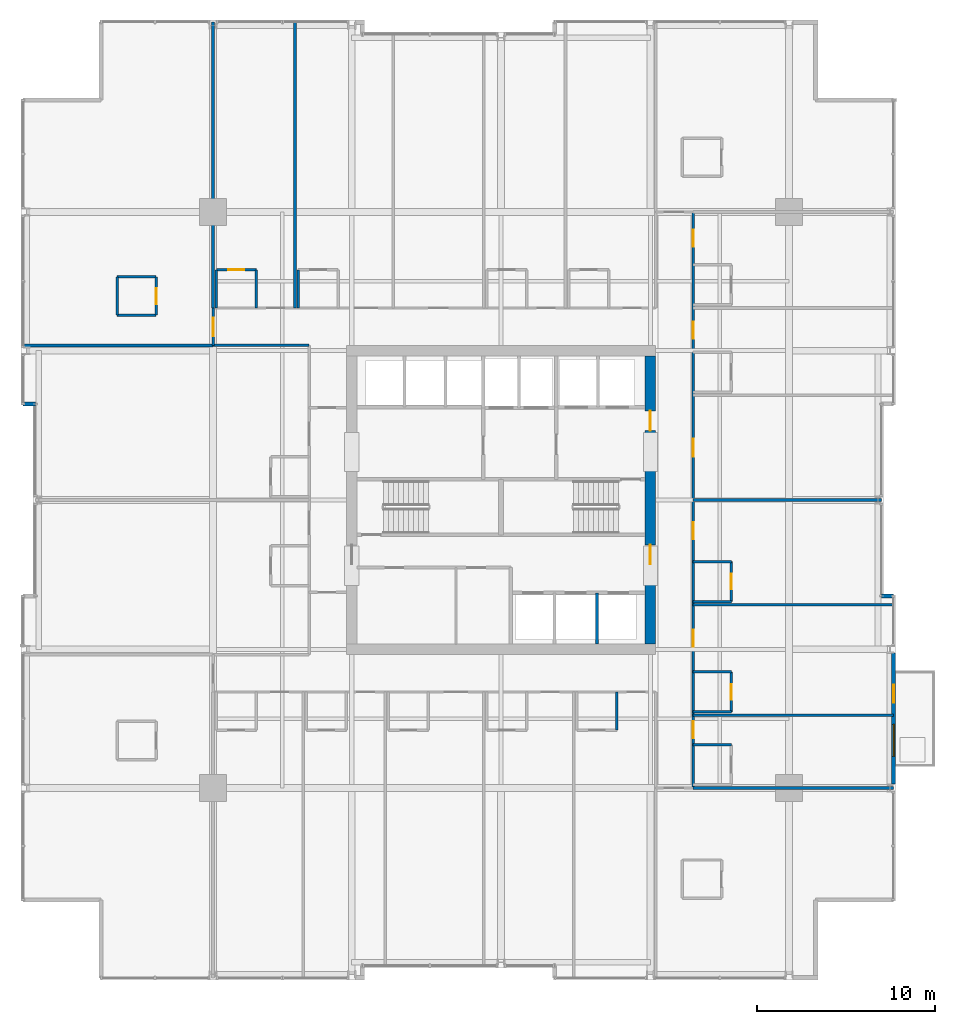
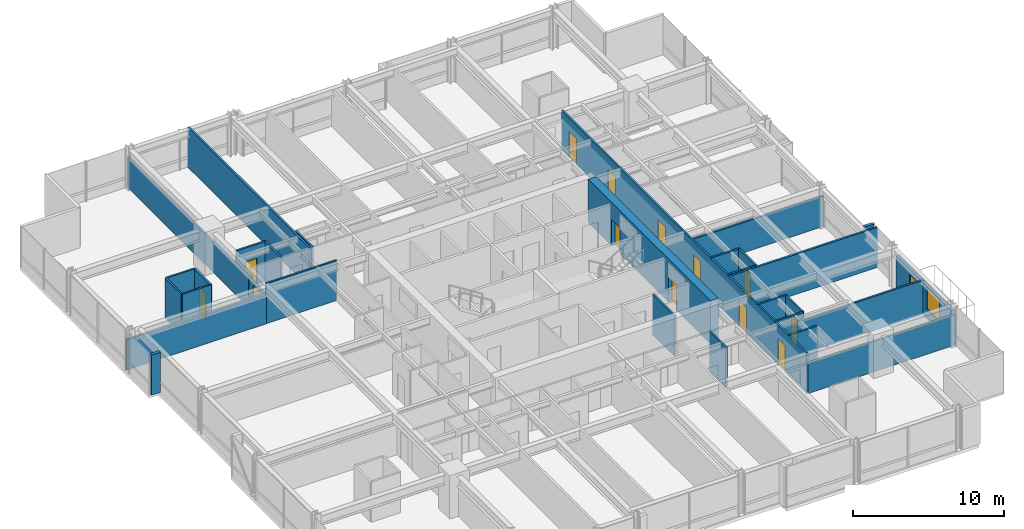
# One storey, part 30 of 35: 31 walls, 14 doors, 1 window, 15 openings.
"""IFC4 building model written with IfcOpenShell, lengths in metres."""

from ifc_helpers import new_model, si_unit, direction, frame, frame_2d, origin, place, context, subcontext, project, spatial, rectangle, extrude, material, layer, layer_set, type_object, element, fill, save


model = new_model("IFC4")

# Units and contexts
model_context = context("Model", 3, precision=1e-05, world=origin(), true_north=direction((0.0, 1.0)))
body_context = subcontext(model_context, "Body", "Model", "MODEL_VIEW")
ifc_project = project(units=[si_unit("LENGTHUNIT", "METRE"), si_unit("AREAUNIT", "SQUARE_METRE"), si_unit("VOLUMEUNIT", "CUBIC_METRE"), si_unit("PLANEANGLEUNIT", "RADIAN"), si_unit("MASSUNIT", "GRAM", prefix="KILO")], contexts=[model_context])

# Site, building, storey
site_placement = place(None, origin())
site = spatial("IfcSite", under=ifc_project, at=site_placement, CompositionType="ELEMENT")
building_placement = place(site_placement, origin())
building = spatial("IfcBuilding", under=site, at=building_placement, Name="Drelvath Grand Hotel", CompositionType="ELEMENT")
storey_placement = place(building_placement, frame((0.0, 0.0, 98.800048828125)))
storey = spatial("IfcBuildingStorey", under=building, at=storey_placement, Name="L24", CompositionType="ELEMENT", Elevation=98.800048828125)

# Walls
ifc_material_1 = material(Name="Gypsum Fireboard Partition")
ifc_layer_1 = layer(ifc_material_1, 0.1650390625)
ifc_layer_set_1 = layer_set([ifc_layer_1], Name="Gypsum Fireboard Partition")
wall_type_1 = type_object("IfcWallType", Name="Core Shaft Partition 165", PredefinedType="PARTITIONING", material=ifc_layer_set_1)
wall_1_placement = place(storey_placement, frame((5.39990234375, 18.89990234375, 0.0), z_axis=(0.0, 0.0, 1.0), x_axis=(0.0, 1.0, 0.0)))
element("IfcWall", 1, at=wall_1_placement, inside=storey, type_object=wall_type_1, Name="L24 Lift PE-5/6 Divider", PredefinedType="PARTITIONING", context=body_context, shape_type="SweptSolid", body=[
    extrude(rectangle(XDim=2.880126953125, YDim=0.1650390625, at=frame_2d((1.43994140625, 0.0))), origin(), (0.0, 0.0, 1.0), 3.239990234375),
])
ifc_layer_2 = layer(ifc_material_1, 0.135009765625)
ifc_layer_set_2 = layer_set([ifc_layer_2], Name="Gypsum Fireboard Partition")
wall_type_2 = type_object("IfcWallType", Name="Corridor Fire Barrier Wall 135", PredefinedType="PARTITIONING", material=ifc_layer_set_2)
wall_2_placement = place(storey_placement, frame((-16.199951171875, 35.699951171875, 0.0), z_axis=(0.0, 0.0, 1.0), x_axis=(1.0, 0.0, 0.0)))
element("IfcWall", 2, at=wall_2_placement, inside=storey, type_object=wall_type_2, Name="L24 NW Stub South Wall", PredefinedType="PARTITIONING", context=body_context, shape_type="SweptSolid", body=[
    extrude(rectangle(XDim=5.39990234375, YDim=0.135009765625, at=frame_2d((2.699951171875, 0.0))), origin(), (0.0, 0.0, 1.0), 3.239990234375),
])

# Wall, openings, doors
wall_3_placement = place(storey_placement, frame((10.800048828125, 10.800048828125, 0.0), z_axis=(0.0, 0.0, 1.0), x_axis=(0.0, 1.0, 0.0)))
wall_3 = element("IfcWall", 3, at=wall_3_placement, inside=storey, type_object=wall_type_2, Name="L24 East Spine Corridor Wall", PredefinedType="PARTITIONING", context=body_context, shape_type="SweptSolid", body=[
    extrude(rectangle(XDim=32.39990234375, YDim=0.135009765625, at=frame_2d((16.199951171875, 0.0))), origin(), (0.0, 0.0, 1.0), 3.239990234375),
])
opening_1_placement = place(wall_3_placement, frame((2.784912109375, 0.0, 0.0)))
opening_1 = element("IfcOpeningElement", 4, at=opening_1_placement, cuts=wall_3, Name="Opening D-T2G1-047", PredefinedType="OPENING", context=body_context, shape_type="SweptSolid", body=[
    extrude(rectangle(XDim=0.9599609375, YDim=2.14990234375, at=frame_2d((0.47998046875, 1.074951171875))), frame((0.0, 0.077392578125, 0.0), z_axis=(0.0, -1.0, 0.0), x_axis=(1.0, 0.0, 0.0)), (0.0, 0.0, 1.0), 0.155029296875),
])
opening_2_placement = place(wall_3_placement, frame((7.939453125, 0.0, 0.0)))
opening_2 = element("IfcOpeningElement", 5, at=opening_2_placement, cuts=wall_3, Name="Opening D-T2G1-049", PredefinedType="OPENING", context=body_context, shape_type="SweptSolid", body=[
    extrude(rectangle(XDim=0.9599609375, YDim=2.14990234375, at=frame_2d((0.47998046875, 1.074951171875))), frame((0.0, 0.077392578125, 0.0), z_axis=(0.0, -1.0, 0.0), x_axis=(1.0, 0.0, 0.0)), (0.0, 0.0, 1.0), 0.155029296875),
])
opening_3_placement = place(wall_3_placement, frame((13.989501953125, 0.0, 0.0)))
opening_3 = element("IfcOpeningElement", 6, at=opening_3_placement, cuts=wall_3, Name="Opening D-T2G1-051", PredefinedType="OPENING", context=body_context, shape_type="SweptSolid", body=[
    extrude(rectangle(XDim=0.9599609375, YDim=2.14990234375, at=frame_2d((0.47998046875, 1.074951171875))), frame((0.0, 0.077392578125, 0.0), z_axis=(0.0, -1.0, 0.0), x_axis=(1.0, 0.0, 0.0)), (0.0, 0.0, 1.0), 0.155029296875),
])
opening_4_placement = place(wall_3_placement, frame((18.635498046875, 0.0, 0.0)))
opening_4 = element("IfcOpeningElement", 7, at=opening_4_placement, cuts=wall_3, Name="Opening D-T2G1-052", PredefinedType="OPENING", context=body_context, shape_type="SweptSolid", body=[
    extrude(rectangle(XDim=1.02001953125, YDim=2.14990234375, at=frame_2d((0.510009765625, 1.074951171875))), frame((0.0, 0.077392578125, 0.0), z_axis=(0.0, -1.0, 0.0), x_axis=(1.0, 0.0, 0.0)), (0.0, 0.0, 1.0), 0.155029296875),
])
opening_5_placement = place(wall_3_placement, frame((25.280517578125, 0.0, 0.0)))
opening_5 = element("IfcOpeningElement", 8, at=opening_5_placement, cuts=wall_3, Name="Opening D-T2G1-054", PredefinedType="OPENING", context=body_context, shape_type="SweptSolid", body=[
    extrude(rectangle(XDim=0.9599609375, YDim=2.14990234375, at=frame_2d((0.47998046875, 1.074951171875))), frame((0.0, 0.077392578125, 0.0), z_axis=(0.0, -1.0, 0.0), x_axis=(1.0, 0.0, 0.0)), (0.0, 0.0, 1.0), 0.155029296875),
])
opening_6_placement = place(wall_3_placement, frame((30.43505859375, 0.0, 0.0)))
opening_6 = element("IfcOpeningElement", 9, at=opening_6_placement, cuts=wall_3, Name="Opening D-T2G1-056", PredefinedType="OPENING", context=body_context, shape_type="SweptSolid", body=[
    extrude(rectangle(XDim=0.9599609375, YDim=2.14990234375, at=frame_2d((0.47998046875, 1.074951171875))), frame((0.0, 0.077392578125, 0.0), z_axis=(0.0, -1.0, 0.0), x_axis=(1.0, 0.0, 0.0)), (0.0, 0.0, 1.0), 0.155029296875),
])
ifc_material_2 = material(Name="Hardwood Walnut Timber", Category="wood")
door_type_1 = type_object("IfcDoorType", Name="Amenity Meeting Fire Door 1020x2150", OperationType="NOTDEFINED", PredefinedType="DOOR", material=ifc_material_2)
door_1_placement = place(opening_4_placement, origin())
door_1 = element("IfcDoor", 10, at=door_1_placement, inside=storey, type_object=door_type_1, Name="L24 Executive Workroom Entry Door", OperationType="SINGLE_SWING_LEFT", OverallHeight=2.14990234375, OverallWidth=1.02001953125, PredefinedType="DOOR", context=body_context, shape_type="SweptSolid", body=[
    extrude(rectangle(XDim=1.02001953125, YDim=2.14990234375, at=frame_2d((0.510009765625, 1.074951171875))), frame((0.0, 0.02490234375, 0.0), z_axis=(0.0, -1.0, 0.0), x_axis=(1.0, 0.0, 0.0)), (0.0, 0.0, 1.0), 0.050048828125),
])
fill(opening_4, door_1)
door_type_2 = type_object("IfcDoorType", Name="Guestroom Entrance Fire Door 960x2150", OperationType="NOTDEFINED", PredefinedType="DOOR", material=ifc_material_2)
door_2_placement = place(opening_1_placement, origin())
door_2 = element("IfcDoor", 11, at=door_2_placement, inside=storey, type_object=door_type_2, Name="L24 Deluxe Guest Room Entry Door", OperationType="SINGLE_SWING_RIGHT", OverallHeight=2.14990234375, OverallWidth=0.9599609375, PredefinedType="DOOR", context=body_context, shape_type="SweptSolid", body=[
    extrude(rectangle(XDim=0.9599609375, YDim=2.14990234375, at=frame_2d((0.47998046875, 1.074951171875))), frame((0.0, 0.02490234375, 0.0), z_axis=(0.0, -1.0, 0.0), x_axis=(1.0, 0.0, 0.0)), (0.0, 0.0, 1.0), 0.050048828125),
])
fill(opening_1, door_2)
door_3_placement = place(opening_2_placement, origin())
door_3 = element("IfcDoor", 12, at=door_3_placement, inside=storey, type_object=door_type_2, Name="L24 Deluxe Guest Room Entry Door", OperationType="SINGLE_SWING_RIGHT", OverallHeight=2.14990234375, OverallWidth=0.9599609375, PredefinedType="DOOR", context=body_context, shape_type="SweptSolid", body=[
    extrude(rectangle(XDim=0.9599609375, YDim=2.14990234375, at=frame_2d((0.47998046875, 1.074951171875))), frame((0.0, 0.02490234375, 0.0), z_axis=(0.0, -1.0, 0.0), x_axis=(1.0, 0.0, 0.0)), (0.0, 0.0, 1.0), 0.050048828125),
])
fill(opening_2, door_3)
door_4_placement = place(opening_3_placement, origin())
door_4 = element("IfcDoor", 13, at=door_4_placement, inside=storey, type_object=door_type_2, Name="L24 Deluxe Guest Room Entry Door", OperationType="SINGLE_SWING_RIGHT", OverallHeight=2.14990234375, OverallWidth=0.9599609375, PredefinedType="DOOR", context=body_context, shape_type="SweptSolid", body=[
    extrude(rectangle(XDim=0.9599609375, YDim=2.14990234375, at=frame_2d((0.47998046875, 1.074951171875))), frame((0.0, 0.02490234375, 0.0), z_axis=(0.0, -1.0, 0.0), x_axis=(1.0, 0.0, 0.0)), (0.0, 0.0, 1.0), 0.050048828125),
])
fill(opening_3, door_4)
door_5_placement = place(opening_5_placement, origin())
door_5 = element("IfcDoor", 14, at=door_5_placement, inside=storey, type_object=door_type_2, Name="L24 Deluxe Guest Room Entry Door", OperationType="SINGLE_SWING_LEFT", OverallHeight=2.14990234375, OverallWidth=0.9599609375, PredefinedType="DOOR", context=body_context, shape_type="SweptSolid", body=[
    extrude(rectangle(XDim=0.9599609375, YDim=2.14990234375, at=frame_2d((0.47998046875, 1.074951171875))), frame((0.0, 0.02490234375, 0.0), z_axis=(0.0, -1.0, 0.0), x_axis=(1.0, 0.0, 0.0)), (0.0, 0.0, 1.0), 0.050048828125),
])
fill(opening_5, door_5)
door_6_placement = place(opening_6_placement, origin())
door_6 = element("IfcDoor", 15, at=door_6_placement, inside=storey, type_object=door_type_2, Name="L24 Deluxe Guest Room Entry Door", OperationType="SINGLE_SWING_LEFT", OverallHeight=2.14990234375, OverallWidth=0.9599609375, PredefinedType="DOOR", context=body_context, shape_type="SweptSolid", body=[
    extrude(rectangle(XDim=0.9599609375, YDim=2.14990234375, at=frame_2d((0.47998046875, 1.074951171875))), frame((0.0, 0.02490234375, 0.0), z_axis=(0.0, -1.0, 0.0), x_axis=(1.0, 0.0, 0.0)), (0.0, 0.0, 1.0), 0.050048828125),
])
fill(opening_6, door_6)

# Wall, opening, door
wall_4_placement = place(storey_placement, frame((-16.199951171875, 35.699951171875, 0.0), z_axis=(0.0, 0.0, 1.0), x_axis=(0.0, 1.0, 0.0)))
wall_4 = element("IfcWall", 16, at=wall_4_placement, inside=storey, type_object=wall_type_2, Name="L24 North Stub West End", PredefinedType="PARTITIONING", context=body_context, shape_type="SweptSolid", body=[
    extrude(rectangle(XDim=2.10009765625, YDim=0.135009765625, at=frame_2d((1.050048828125, 0.0))), origin(), (0.0, 0.0, 1.0), 2.45166015625),
])
opening_7_placement = place(wall_4_placement, frame((0.52001953125, 0.0, 0.0)))
opening_7 = element("IfcOpeningElement", 17, at=opening_7_placement, cuts=wall_4, Name="Opening D-T2G1-022", PredefinedType="OPENING", context=body_context, shape_type="SweptSolid", body=[
    extrude(rectangle(XDim=1.02001953125, YDim=2.14990234375, at=frame_2d((0.510009765625, 1.074951171875))), frame((0.0, 0.077392578125, 0.0), z_axis=(0.0, -1.0, 0.0), x_axis=(1.0, 0.0, 0.0)), (0.0, 0.0, 1.0), 0.155029296875),
])
door_7_placement = place(opening_7_placement, origin())
door_7 = element("IfcDoor", 18, at=door_7_placement, inside=storey, type_object=door_type_1, Name="L24 Corner Suite Entry Door", OperationType="SINGLE_SWING_LEFT", OverallHeight=2.14990234375, OverallWidth=1.02001953125, PredefinedType="DOOR", context=body_context, shape_type="SweptSolid", body=[
    extrude(rectangle(XDim=1.02001953125, YDim=2.14990234375, at=frame_2d((0.510009765625, 1.074951171875))), frame((0.0, 0.02490234375, 0.0), z_axis=(0.0, -1.0, 0.0), x_axis=(1.0, 0.0, 0.0)), (0.0, 0.0, 1.0), 0.050048828125),
])
fill(opening_7, door_7)

# Walls
ifc_material_3 = material(Name="Moisture-Resistant Gypsum Board")
ifc_layer_3 = layer(ifc_material_3, 0.139892578125)
ifc_layer_set_3 = layer_set([ifc_layer_3], Name="Moisture-Resistant Gypsum Board")
wall_type_3 = type_object("IfcWallType", Name="En-Suite Plumbing Wall 140", PredefinedType="PLUMBINGWALL", material=ifc_layer_set_3)
for number, where, z_axis, x_axis, name in (
    (19, (-21.60009765625, 37.39990234375, 0.0), (0.0, 0.0, 1.0), (1.0, 0.0, 0.0), "L24 Corner En-Suite South"),
    (20, (-21.60009765625, 39.550048828125, 0.0), (0.0, 0.0, 1.0), (1.0, 0.0, 0.0), "L24 Corner En-Suite North"),
):
    element("IfcWall", number, at=place(storey_placement, frame(where, z_axis=z_axis, x_axis=x_axis)), inside=storey, type_object=wall_type_3, Name=name, PredefinedType="PLUMBINGWALL", context=body_context, shape_type="SweptSolid", body=[
        extrude(rectangle(XDim=2.2001953125, YDim=0.139892578125, at=frame_2d((1.10009765625, 0.0))), origin(), (0.0, 0.0, 1.0), 3.239990234375),
    ])
wall_5_placement = place(storey_placement, frame((-21.60009765625, 37.39990234375, 0.0), z_axis=(0.0, 0.0, 1.0), x_axis=(0.0, 1.0, 0.0)))
element("IfcWall", 21, at=wall_5_placement, inside=storey, type_object=wall_type_3, Name="L24 Corner En-Suite West", PredefinedType="PLUMBINGWALL", context=body_context, shape_type="SweptSolid", body=[
    extrude(rectangle(XDim=2.150146484375, YDim=0.139892578125, at=frame_2d((1.0751953125, 0.0))), origin(), (0.0, 0.0, 1.0), 3.239990234375),
])

# Wall, opening, door
wall_6_placement = place(storey_placement, frame((-19.39990234375, 37.39990234375, 0.0), z_axis=(0.0, 0.0, 1.0), x_axis=(0.0, 1.0, 0.0)))
wall_6 = element("IfcWall", 22, at=wall_6_placement, inside=storey, type_object=wall_type_3, Name="L24 Corner En-Suite East", PredefinedType="PLUMBINGWALL", context=body_context, shape_type="SweptSolid", body=[
    extrude(rectangle(XDim=2.150146484375, YDim=0.139892578125, at=frame_2d((1.0751953125, 0.0))), origin(), (0.0, 0.0, 1.0), 3.239990234375),
])
opening_8_placement = place(wall_6_placement, frame((0.6201171875, 0.0, 0.0)))
opening_8 = element("IfcOpeningElement", 23, at=opening_8_placement, cuts=wall_6, Name="Opening D-T2G1-021", PredefinedType="OPENING", context=body_context, shape_type="SweptSolid", body=[
    extrude(rectangle(XDim=0.8798828125, YDim=2.10009765625, at=frame_2d((0.43994140625, 1.050048828125))), frame((0.0, 0.079833984375, 0.0), z_axis=(0.0, -1.0, 0.0), x_axis=(1.0, 0.0, 0.0)), (0.0, 0.0, 1.0), 0.159912109375),
])
door_type_3 = type_object("IfcDoorType", Name="En-Suite Bathroom Door 880x2100", OperationType="NOTDEFINED", PredefinedType="DOOR", material=ifc_material_2)
door_8_placement = place(opening_8_placement, origin())
door_8 = element("IfcDoor", 24, at=door_8_placement, inside=storey, type_object=door_type_3, Name="L24 Corner En-Suite Door", OperationType="SINGLE_SWING_RIGHT", OverallHeight=2.10009765625, OverallWidth=0.8798828125, PredefinedType="DOOR", context=body_context, shape_type="SweptSolid", body=[
    extrude(rectangle(XDim=0.8798828125, YDim=2.10009765625, at=frame_2d((0.43994140625, 1.050048828125))), frame((0.0, 0.02490234375, 0.0), z_axis=(0.0, -1.0, 0.0), x_axis=(1.0, 0.0, 0.0)), (0.0, 0.0, 1.0), 0.050048828125),
])
fill(opening_8, door_8)

# Walls
wall_7_placement = place(storey_placement, frame((6.518798828125, 16.199951171875, 0.0), z_axis=(0.0, 0.0, 1.0), x_axis=(0.0, -1.0, 0.0)))
element("IfcWall", 25, at=wall_7_placement, inside=storey, type_object=wall_type_3, Name="L24 En-Suite Right Wall", PredefinedType="PLUMBINGWALL", context=body_context, shape_type="SweptSolid", body=[
    extrude(rectangle(XDim=2.14990234375, YDim=0.139892578125, at=frame_2d((1.074951171875, 0.0))), origin(), (0.0, 0.0, 1.0), 3.239990234375),
])
wall_8_placement = place(storey_placement, frame((-16.02001953125, 37.800048828125, 0.0), z_axis=(0.0, 0.0, 1.0), x_axis=(0.0, 1.0, 0.0)))
element("IfcWall", 26, at=wall_8_placement, inside=storey, type_object=wall_type_3, Name="L24 En-Suite Left Wall", PredefinedType="PLUMBINGWALL", context=body_context, shape_type="SweptSolid", body=[
    extrude(rectangle(XDim=2.14990234375, YDim=0.139892578125, at=frame_2d((1.074951171875, 0.0))), origin(), (0.0, 0.0, 1.0), 2.45166015625),
])
wall_9_placement = place(storey_placement, frame((-13.77001953125, 37.800048828125, 0.0), z_axis=(0.0, 0.0, 1.0), x_axis=(0.0, 1.0, 0.0)))
element("IfcWall", 27, at=wall_9_placement, inside=storey, type_object=wall_type_3, Name="L24 En-Suite Right Wall", PredefinedType="PLUMBINGWALL", context=body_context, shape_type="SweptSolid", body=[
    extrude(rectangle(XDim=2.14990234375, YDim=0.139892578125, at=frame_2d((1.074951171875, 0.0))), origin(), (0.0, 0.0, 1.0), 3.239990234375),
])

# Wall, opening, door
wall_10_placement = place(storey_placement, frame((-16.02001953125, 39.949951171875, 0.0), z_axis=(0.0, 0.0, 1.0), x_axis=(1.0, 0.0, 0.0)))
wall_10 = element("IfcWall", 28, at=wall_10_placement, inside=storey, type_object=wall_type_3, Name="L24 En-Suite Front Wall", PredefinedType="PLUMBINGWALL", context=body_context, shape_type="SweptSolid", body=[
    extrude(rectangle(XDim=2.25, YDim=0.139892578125, at=frame_2d((1.125, 0.0))), origin(), (0.0, 0.0, 1.0), 3.239990234375),
])
opening_9_placement = place(wall_10_placement, frame((0.68505859375, 0.0, 0.0)))
opening_9 = element("IfcOpeningElement", 29, at=opening_9_placement, cuts=wall_10, Name="Opening D-T2G1-037", PredefinedType="OPENING", context=body_context, shape_type="SweptSolid", body=[
    extrude(rectangle(XDim=0.8798828125, YDim=2.10009765625, at=frame_2d((0.43994140625, 1.050048828125))), frame((0.0, 0.079833984375, 0.0), z_axis=(0.0, -1.0, 0.0), x_axis=(1.0, 0.0, 0.0)), (0.0, 0.0, 1.0), 0.159912109375),
])
door_9_placement = place(opening_9_placement, origin())
door_9 = element("IfcDoor", 30, at=door_9_placement, inside=storey, type_object=door_type_3, Name="L24 En-Suite Bathroom Door", OperationType="SINGLE_SWING_RIGHT", OverallHeight=2.10009765625, OverallWidth=0.8798828125, PredefinedType="DOOR", context=body_context, shape_type="SweptSolid", body=[
    extrude(rectangle(XDim=0.8798828125, YDim=2.10009765625, at=frame_2d((0.43994140625, 1.050048828125))), frame((0.0, 0.02490234375, 0.0), z_axis=(0.0, -1.0, 0.0), x_axis=(1.0, 0.0, 0.0)), (0.0, 0.0, 1.0), 0.050048828125),
])
fill(opening_9, door_9)

# Walls
for number, where, z_axis, x_axis, name in (
    (31, (-11.408935546875, 37.800048828125, 0.0), (0.0, 0.0, 1.0), (0.0, 1.0, 0.0), "L24 En-Suite Left Wall"),
    (32, (10.800048828125, 13.22998046875, 0.0), (0.0, 0.0, 1.0), (1.0, 0.0, 0.0), "L24 En-Suite Right Wall"),
    (33, (10.800048828125, 15.080078125, 0.0), (0.0, 0.0, 1.0), (1.0, 0.0, 0.0), "L24 En-Suite Left Wall"),
    (34, (10.800048828125, 17.330078125, 0.0), (0.0, 0.0, 1.0), (1.0, 0.0, 0.0), "L24 En-Suite Right Wall"),
):
    element("IfcWall", number, at=place(storey_placement, frame(where, z_axis=z_axis, x_axis=x_axis)), inside=storey, type_object=wall_type_3, Name=name, PredefinedType="PLUMBINGWALL", context=body_context, shape_type="SweptSolid", body=[
        extrude(rectangle(XDim=2.14990234375, YDim=0.139892578125, at=frame_2d((1.074951171875, 0.0))), origin(), (0.0, 0.0, 1.0), 3.239990234375),
    ])

# Wall, opening, door
wall_11_placement = place(storey_placement, frame((12.949951171875, 15.080078125, 0.0), z_axis=(0.0, 0.0, 1.0), x_axis=(0.0, 1.0, 0.0)))
wall_11 = element("IfcWall", 35, at=wall_11_placement, inside=storey, type_object=wall_type_3, Name="L24 En-Suite Front Wall", PredefinedType="PLUMBINGWALL", context=body_context, shape_type="SweptSolid", body=[
    extrude(rectangle(XDim=2.25, YDim=0.139892578125, at=frame_2d((1.125, 0.0))), origin(), (0.0, 0.0, 1.0), 3.239990234375),
])
opening_10_placement = place(wall_11_placement, frame((0.68505859375, 0.0, 0.0)))
opening_10 = element("IfcOpeningElement", 36, at=opening_10_placement, cuts=wall_11, Name="Opening D-T2G1-048", PredefinedType="OPENING", context=body_context, shape_type="SweptSolid", body=[
    extrude(rectangle(XDim=0.8798828125, YDim=2.10009765625, at=frame_2d((0.43994140625, 1.050048828125))), frame((0.0, 0.079833984375, 0.0), z_axis=(0.0, -1.0, 0.0), x_axis=(1.0, 0.0, 0.0)), (0.0, 0.0, 1.0), 0.159912109375),
])
door_10_placement = place(opening_10_placement, origin())
door_10 = element("IfcDoor", 37, at=door_10_placement, inside=storey, type_object=door_type_3, Name="L24 En-Suite Bathroom Door", OperationType="SINGLE_SWING_LEFT", OverallHeight=2.10009765625, OverallWidth=0.8798828125, PredefinedType="DOOR", context=body_context, shape_type="SweptSolid", body=[
    extrude(rectangle(XDim=0.8798828125, YDim=2.10009765625, at=frame_2d((0.43994140625, 1.050048828125))), frame((0.0, 0.02490234375, 0.0), z_axis=(0.0, -1.0, 0.0), x_axis=(1.0, 0.0, 0.0)), (0.0, 0.0, 1.0), 0.050048828125),
])
fill(opening_10, door_10)

# Walls
for number, where, z_axis, x_axis, name in (
    (38, (10.800048828125, 21.2890625, 0.0), (0.0, 0.0, 1.0), (1.0, 0.0, 0.0), "L24 En-Suite Left Wall"),
    (39, (10.800048828125, 23.5390625, 0.0), (0.0, 0.0, 1.0), (1.0, 0.0, 0.0), "L24 En-Suite Right Wall"),
):
    element("IfcWall", number, at=place(storey_placement, frame(where, z_axis=z_axis, x_axis=x_axis)), inside=storey, type_object=wall_type_3, Name=name, PredefinedType="PLUMBINGWALL", context=body_context, shape_type="SweptSolid", body=[
        extrude(rectangle(XDim=2.14990234375, YDim=0.139892578125, at=frame_2d((1.074951171875, 0.0))), origin(), (0.0, 0.0, 1.0), 3.239990234375),
    ])

# Wall, opening, door
wall_12_placement = place(storey_placement, frame((12.949951171875, 21.2890625, 0.0), z_axis=(0.0, 0.0, 1.0), x_axis=(0.0, 1.0, 0.0)))
wall_12 = element("IfcWall", 40, at=wall_12_placement, inside=storey, type_object=wall_type_3, Name="L24 En-Suite Front Wall", PredefinedType="PLUMBINGWALL", context=body_context, shape_type="SweptSolid", body=[
    extrude(rectangle(XDim=2.25, YDim=0.139892578125, at=frame_2d((1.125, 0.0))), origin(), (0.0, 0.0, 1.0), 3.239990234375),
])
opening_11_placement = place(wall_12_placement, frame((0.68505859375, 0.0, 0.0)))
opening_11 = element("IfcOpeningElement", 41, at=opening_11_placement, cuts=wall_12, Name="Opening D-T2G1-050", PredefinedType="OPENING", context=body_context, shape_type="SweptSolid", body=[
    extrude(rectangle(XDim=0.8798828125, YDim=2.10009765625, at=frame_2d((0.43994140625, 1.050048828125))), frame((0.0, 0.079833984375, 0.0), z_axis=(0.0, -1.0, 0.0), x_axis=(1.0, 0.0, 0.0)), (0.0, 0.0, 1.0), 0.159912109375),
])
door_11_placement = place(opening_11_placement, origin())
door_11 = element("IfcDoor", 42, at=door_11_placement, inside=storey, type_object=door_type_3, Name="L24 En-Suite Bathroom Door", OperationType="SINGLE_SWING_LEFT", OverallHeight=2.10009765625, OverallWidth=0.8798828125, PredefinedType="DOOR", context=body_context, shape_type="SweptSolid", body=[
    extrude(rectangle(XDim=0.8798828125, YDim=2.10009765625, at=frame_2d((0.43994140625, 1.050048828125))), frame((0.0, 0.02490234375, 0.0), z_axis=(0.0, -1.0, 0.0), x_axis=(1.0, 0.0, 0.0)), (0.0, 0.0, 1.0), 0.050048828125),
])
fill(opening_11, door_11)

# Walls
ifc_material_4 = material(Name="Gypsum Acoustic Partition")
ifc_layer_4 = layer(ifc_material_4, 0.14990234375)
ifc_layer_set_4 = layer_set([ifc_layer_4], Name="Gypsum Acoustic Partition")
wall_type_4 = type_object("IfcWallType", Name="Guestroom Demising Wall 150", PredefinedType="PARTITIONING", material=ifc_layer_set_4)
wall_13_placement = place(storey_placement, frame((-11.5888671875, 37.800048828125, 0.0), z_axis=(0.0, 0.0, 1.0), x_axis=(0.0, 1.0, 0.0)))
element("IfcWall", 43, at=wall_13_placement, inside=storey, type_object=wall_type_4, Name="L24 North Demising 1", PredefinedType="PARTITIONING", context=body_context, shape_type="SweptSolid", body=[
    extrude(rectangle(XDim=16.079833984375, YDim=0.14990234375, at=frame_2d((8.0400390625, 0.0))), origin(), (0.0, 0.0, 1.0), 3.239990234375),
])
wall_14_placement = place(storey_placement, frame((10.800048828125, 14.89990234375, 0.0), z_axis=(0.0, 0.0, 1.0), x_axis=(1.0, 0.0, 0.0)))
element("IfcWall", 44, at=wall_14_placement, inside=storey, type_object=wall_type_4, Name="L24 East Demising 1", PredefinedType="PARTITIONING", context=body_context, shape_type="SweptSolid", body=[
    extrude(rectangle(XDim=11.280029296875, YDim=0.14990234375, at=frame_2d((5.64013671875, 0.0))), origin(), (0.0, 0.0, 1.0), 2.764892578125),
])
wall_15_placement = place(storey_placement, frame((10.800048828125, 21.109130859375, 0.0), z_axis=(0.0, 0.0, 1.0), x_axis=(1.0, 0.0, 0.0)))
element("IfcWall", 45, at=wall_15_placement, inside=storey, type_object=wall_type_4, Name="L24 East Demising 2", PredefinedType="PARTITIONING", context=body_context, shape_type="SweptSolid", body=[
    extrude(rectangle(XDim=11.280029296875, YDim=0.14990234375, at=frame_2d((5.64013671875, 0.0))), origin(), (0.0, 0.0, 1.0), 3.239990234375),
])
wall_16_placement = place(storey_placement, frame((10.800048828125, 27.0, 0.0), z_axis=(0.0, 0.0, 1.0), x_axis=(1.0, 0.0, 0.0)))
element("IfcWall", 46, at=wall_16_placement, inside=storey, type_object=wall_type_4, Name="L24 East Demising 3", PredefinedType="PARTITIONING", context=body_context, shape_type="SweptSolid", body=[
    extrude(rectangle(XDim=10.599853515625, YDim=0.14990234375, at=frame_2d((5.2998046875, 0.0))), origin(), (0.0, 0.0, 1.0), 2.45166015625),
])

# Wall, openings, doors
ifc_material_5 = material(Name="Concrete f'c 70 MPa", Category="concrete")
ifc_layer_5 = layer(ifc_material_5, 0.60009765625)
ifc_layer_set_5 = layer_set([ifc_layer_5], Name="Concrete f'c 70 MPa")
wall_type_5 = type_object("IfcWallType", Name="Lower Core RC Shear Wall 600", PredefinedType="SHEAR", material=ifc_layer_set_5)
wall_17_placement = place(storey_placement, frame((8.39990234375, 35.10009765625, 0.0), z_axis=(0.0, 0.0, 1.0), x_axis=(0.0, -1.0, 0.0)))
wall_17 = element("IfcWall", 47, at=wall_17_placement, inside=storey, type_object=wall_type_5, Name="L24 Central Core Shear Wall E", PredefinedType="SHEAR", context=body_context, shape_type="SweptSolid", body=[
    extrude(rectangle(XDim=16.2001953125, YDim=0.60009765625, at=frame_2d((8.10009765625, 0.0))), origin(), (0.0, 0.0, 1.0), 3.5),
])
opening_12_placement = place(wall_17_placement, frame((3.080078125, 0.0, 0.0)))
opening_12 = element("IfcOpeningElement", 48, at=opening_12_placement, cuts=wall_17, Name="Opening D-T2G1-006", PredefinedType="OPENING", context=body_context, shape_type="SweptSolid", body=[
    extrude(rectangle(XDim=1.1201171875, YDim=2.10009765625, at=frame_2d((0.56005859375, 1.050048828125))), frame((0.0, 0.31005859375, 0.0), z_axis=(0.0, -1.0, 0.0), x_axis=(1.0, 0.0, 0.0)), (0.0, 0.0, 1.0), 0.6201171875),
])
opening_13_placement = place(wall_17_placement, frame((10.6201171875, 0.0, 0.0)))
opening_13 = element("IfcOpeningElement", 49, at=opening_13_placement, cuts=wall_17, Name="Opening D-T2G1-014", PredefinedType="OPENING", context=body_context, shape_type="SweptSolid", body=[
    extrude(rectangle(XDim=1.080078125, YDim=2.0400390625, at=frame_2d((0.5400390625, 1.02001953125))), frame((0.0, 0.31005859375, 0.0), z_axis=(0.0, -1.0, 0.0), x_axis=(1.0, 0.0, 0.0)), (0.0, 0.0, 1.0), 0.6201171875),
])
ifc_material_6 = material(Name="Painted Steel S275", Category="steel")
door_type_4 = type_object("IfcDoorType", Name="Core Corridor Fire Door 1080x2100", OperationType="NOTDEFINED", PredefinedType="DOOR", material=ifc_material_6)
door_12_placement = place(opening_13_placement, origin())
door_12 = element("IfcDoor", 50, at=door_12_placement, inside=storey, type_object=door_type_4, Name="L24 Mid-Rise Lobby East Door", OperationType="SINGLE_SWING_LEFT", OverallHeight=2.0400390625, OverallWidth=1.080078125, PredefinedType="DOOR", context=body_context, shape_type="SweptSolid", body=[
    extrude(rectangle(XDim=1.080078125, YDim=2.0400390625, at=frame_2d((0.5400390625, 1.02001953125))), frame((0.0, 0.02490234375, 0.0), z_axis=(0.0, -1.0, 0.0), x_axis=(1.0, 0.0, 0.0)), (0.0, 0.0, 1.0), 0.050048828125),
])
fill(opening_13, door_12)
door_type_5 = type_object("IfcDoorType", Name="FSAE Smoke Lobby Fire Door 1120x2100", OperationType="NOTDEFINED", PredefinedType="DOOR", material=ifc_material_6)
door_13_placement = place(opening_12_placement, origin())
door_13 = element("IfcDoor", 51, at=door_13_placement, inside=storey, type_object=door_type_5, Name="L24 FSAE Lobby East Corridor Door", OperationType="SINGLE_SWING_LEFT", OverallHeight=2.10009765625, OverallWidth=1.1201171875, PredefinedType="DOOR", context=body_context, shape_type="SweptSolid", body=[
    extrude(rectangle(XDim=1.1201171875, YDim=2.10009765625, at=frame_2d((0.56005859375, 1.050048828125))), frame((0.0, 0.02490234375, 0.0), z_axis=(0.0, -1.0, 0.0), x_axis=(1.0, 0.0, 0.0)), (0.0, 0.0, 1.0), 0.050048828125),
])
fill(opening_12, door_13)

# Walls
ifc_layer_6 = layer(ifc_material_4, 0.1650390625)
ifc_layer_set_6 = layer_set([ifc_layer_6], Name="Gypsum Acoustic Partition")
wall_type_6 = type_object("IfcWallType", Name="Suite Demising Wall 165", PredefinedType="PARTITIONING", material=ifc_layer_set_6)
wall_18_placement = place(storey_placement, frame((-16.199951171875, 37.800048828125, 0.0), z_axis=(0.0, 0.0, 1.0), x_axis=(0.0, 1.0, 0.0)))
element("IfcWall", 52, at=wall_18_placement, inside=storey, type_object=wall_type_6, Name="L24 NW Suite East Wall", PredefinedType="PARTITIONING", context=body_context, shape_type="SweptSolid", body=[
    extrude(rectangle(XDim=16.079833984375, YDim=0.1650390625, at=frame_2d((8.0400390625, 0.0))), origin(), (0.0, 0.0, 1.0), 2.45166015625),
])
wall_19_placement = place(storey_placement, frame((10.800048828125, 10.800048828125, 0.0), z_axis=(0.0, 0.0, 1.0), x_axis=(1.0, 0.0, 0.0)))
element("IfcWall", 53, at=wall_19_placement, inside=storey, type_object=wall_type_6, Name="L24 SE Suite North Wall", PredefinedType="PARTITIONING", context=body_context, shape_type="SweptSolid", body=[
    extrude(rectangle(XDim=11.280029296875, YDim=0.1650390625, at=frame_2d((5.64013671875, 0.0))), origin(), (0.0, 0.0, 1.0), 2.45166015625),
])
wall_20_placement = place(storey_placement, frame((-26.8798828125, 35.699951171875, 0.0), z_axis=(0.0, 0.0, 1.0), x_axis=(1.0, 0.0, 0.0)))
element("IfcWall", 54, at=wall_20_placement, inside=storey, type_object=wall_type_6, Name="L24 NW Suite South Wall", PredefinedType="PARTITIONING", context=body_context, shape_type="SweptSolid", body=[
    extrude(rectangle(XDim=10.679931640625, YDim=0.1650390625, at=frame_2d((5.33984375, 0.0))), origin(), (0.0, 0.0, 1.0), 2.45166015625),
])

# Wall, openings, window, door
ifc_material_7 = material(Name="Pale-Metal Insulated Aluminium Spandrel Assembly", Category="aluminium")
ifc_layer_7 = layer(ifc_material_7, 0.239990234375)
ifc_layer_set_7 = layer_set([ifc_layer_7], Name="Pale-Metal Insulated Aluminium Spandrel Assembly")
wall_type_7 = type_object("IfcWallType", Name="Tower Insulated Metal Spandrel Closure Wall 240", PredefinedType="STANDARD", material=ifc_layer_set_7)
wall_21_placement = place(storey_placement, frame((22.080078125, 18.38037109375, 0.0), z_axis=(0.0, 0.0, 1.0), x_axis=(0.0, -1.0, 0.0)))
wall_21 = element("IfcWall", 55, at=wall_21_placement, inside=storey, type_object=wall_type_7, Name="L24 Exterior Terrace Door Bay Wall ES2", PredefinedType="STANDARD", context=body_context, shape_type="SweptSolid", body=[
    extrude(rectangle(XDim=7.36083984375, YDim=0.239990234375, at=frame_2d((3.680419921875, 0.0))), origin(), (0.0, 0.0, 1.0), 2.62890625),
])
opening_14_placement = place(wall_21_placement, frame((1.780517578125, 0.0, 0.0)))
opening_14 = element("IfcOpeningElement", 56, at=opening_14_placement, cuts=wall_21, Name="Opening TD-1000", PredefinedType="OPENING", context=body_context, shape_type="SweptSolid", body=[
    extrude(rectangle(XDim=1.0, YDim=2.199951171875, at=frame_2d((0.5, 1.10009765625))), frame((0.0, 0.1298828125, 0.0), z_axis=(0.0, -1.0, 0.0), x_axis=(1.0, 0.0, 0.0)), (0.0, 0.0, 1.0), 0.260009765625),
])
opening_15_placement = place(wall_21_placement, frame((3.99658203125, 0.0, 0.75)))
opening_15 = element("IfcOpeningElement", 57, at=opening_15_placement, cuts=wall_21, Name="Opening W-02", PredefinedType="OPENING", context=body_context, shape_type="SweptSolid", body=[
    extrude(rectangle(XDim=1.800048828125, YDim=1.779052734375, at=frame_2d((0.89990234375, 0.8896484375))), frame((0.0, 0.1298828125, 0.0), z_axis=(0.0, -1.0, 0.0), x_axis=(1.0, 0.0, 0.0)), (0.0, 0.0, 1.0), 0.260009765625),
])
ifc_material_8 = material(Name="Bronze Anodised Low-E Triple Glazing", Category="glass")
window_type = type_object("IfcWindowType", Name="Chicago Double-Pane Podium Window 1800x2400", PartitioningType="DOUBLE_PANEL_VERTICAL", PredefinedType="WINDOW", material=ifc_material_8)
window_placement = place(opening_15_placement, origin())
window = element("IfcWindow", 58, at=window_placement, inside=storey, type_object=window_type, Name="L24 Terrace Bay Companion Window ES2", OverallHeight=1.779052734375, OverallWidth=1.800048828125, PartitioningType="SINGLE_PANEL", PredefinedType="WINDOW", context=body_context, shape_type="SweptSolid", body=[
    extrude(rectangle(XDim=1.800048828125, YDim=1.779052734375, at=frame_2d((0.89990234375, 0.8896484375))), frame((0.0, 0.030029296875, 0.0), z_axis=(0.0, -1.0, 0.0), x_axis=(1.0, 0.0, 0.0)), (0.0, 0.0, 1.0), 0.06005859375),
])
fill(opening_15, window)
ifc_material_9 = material(Name="Anodised Aluminium Thermally Broken Glazed Door", Category="aluminium")
door_type_6 = type_object("IfcDoorType", Name="Terrace and Tree Balcony Glazed Door 1000x2200", OperationType="NOTDEFINED", PredefinedType="DOOR", material=ifc_material_9)
door_14_placement = place(opening_14_placement, origin())
door_14 = element("IfcDoor", 59, at=door_14_placement, inside=storey, type_object=door_type_6, Name="L24 Tree Balcony Door DOOR-L24-TBAL-1", OperationType="SINGLE_SWING_RIGHT", OverallHeight=2.199951171875, OverallWidth=1.0, PredefinedType="DOOR", context=body_context, shape_type="SweptSolid", body=[
    extrude(rectangle(XDim=1.0, YDim=2.199951171875, at=frame_2d((0.5, 1.10009765625))), frame((0.0, 0.02490234375, 0.0), z_axis=(0.0, -1.0, 0.0), x_axis=(1.0, 0.0, 0.0)), (0.0, 0.0, 1.0), 0.050048828125),
])
fill(opening_14, door_14)

# Walls
wall_22_placement = place(storey_placement, frame((-26.199951171875, 32.39990234375, 0.0), z_axis=(0.0, 0.0, 1.0), x_axis=(-1.0, 0.0, 0.0)))
element("IfcWall", 60, at=wall_22_placement, inside=storey, type_object=wall_type_7, Name="L24 Notched Corner Return Spandrel Wall RW2", PredefinedType="STANDARD", context=body_context, shape_type="SweptSolid", body=[
    extrude(rectangle(XDim=0.679931640625, YDim=0.239990234375, at=frame_2d((0.33984375, 0.0))), origin(), (0.0, 0.0, 1.0), 3.239990234375),
])
wall_23_placement = place(storey_placement, frame((21.39990234375, 21.60009765625, 0.0), z_axis=(0.0, 0.0, 1.0), x_axis=(1.0, 0.0, 0.0)))
element("IfcWall", 61, at=wall_23_placement, inside=storey, type_object=wall_type_7, Name="L24 Notched Corner Return Spandrel Wall RE2", PredefinedType="STANDARD", context=body_context, shape_type="SweptSolid", body=[
    extrude(rectangle(XDim=0.68017578125, YDim=0.239990234375, at=frame_2d((0.340087890625, 0.0))), origin(), (0.0, 0.0, 1.0), 3.239990234375),
])

save(model, "model.ifc")
